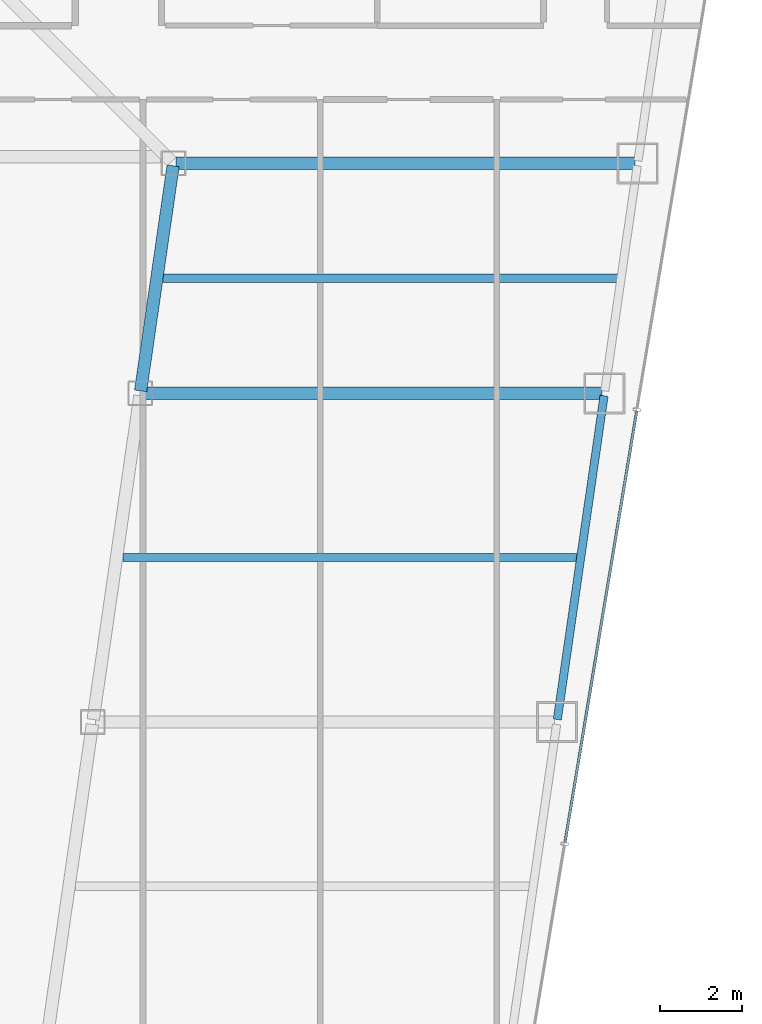
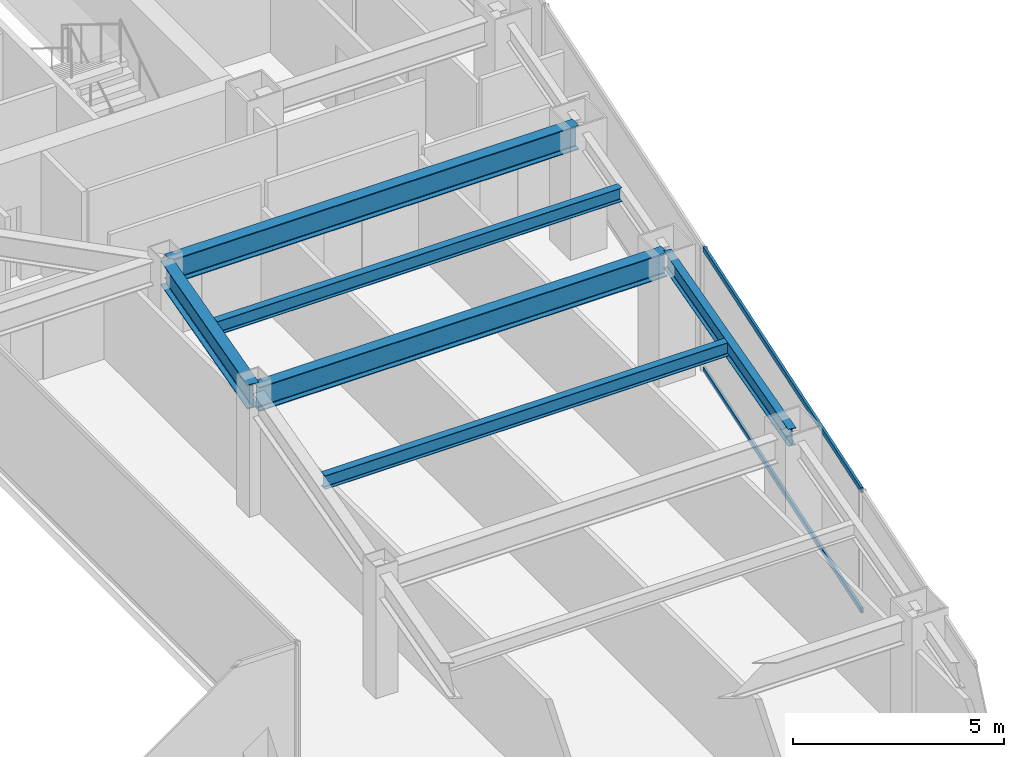
# One storey, part 17 of 37: 6 beams, 2 members, 1 element without a shape of its own.
"""IFC4 building model written with IfcOpenShell, lengths in metres."""

from ifc_helpers import new_model, si_unit, direction, frame, origin, origin_2d, place, context, subcontext, project, spatial, hollow_rectangle, i_section, extrude, material, material_profile, profile_set, type_object, element, aggregate, save


model = new_model("IFC4")

# Units and contexts
model_context = context("Model", 3, precision=1e-05, world=origin(), true_north=direction((0.0, 1.0)))
body_context = subcontext(model_context, "Body", "Model", "MODEL_VIEW")
ifc_project = project(units=[si_unit("LENGTHUNIT", "METRE"), si_unit("AREAUNIT", "SQUARE_METRE"), si_unit("VOLUMEUNIT", "CUBIC_METRE"), si_unit("PLANEANGLEUNIT", "RADIAN"), si_unit("MASSUNIT", "GRAM", prefix="KILO")], contexts=[model_context])

# Site, building, storey
site_placement = place(None, origin())
site = spatial("IfcSite", under=ifc_project, at=site_placement, CompositionType="ELEMENT")
building_placement = place(site_placement, origin())
building = spatial("IfcBuilding", under=site, at=building_placement, Name="Saevonmaru Cultural Tower", CompositionType="ELEMENT")
storey_placement = place(building_placement, frame((0.0, 0.0, 141.0)))
storey = spatial("IfcBuildingStorey", under=building, at=storey_placement, Name="L30", CompositionType="ELEMENT", Elevation=141.0)

# Beams
ifc_material_1 = material(Name="Steel SM355", Category="steel")
ifc_material_profile_1 = material_profile(ifc_material_1, i_section(OverallWidth=0.300048828125, OverallDepth=0.699951171875, WebThickness=0.012939453125, FlangeThickness=0.02392578125, FilletRadius=0.02587890625, at=origin_2d()), Name="H-700x300x13x24")
ifc_profile_set_1 = profile_set([ifc_material_profile_1], Name="Steel SM355")
beam_type_1 = type_object("IfcBeamType", Name="BM-G-H700", PredefinedType="BEAM", material=ifc_profile_set_1)
beam_1_placement = place(storey_placement, frame((40.3916015625, 32.059326171875, 3.199951171875), z_axis=(0.142964121327, 0.989727871697, 0.0), x_axis=(-0.989727871697, 0.142964121327, 0.0)))
element("IfcBeam", 1, at=beam_1_placement, inside=storey, type_object=beam_type_1, Name="L30 East Atrium Girder 4", PredefinedType="BEAM", context=body_context, shape_type="SweptSolid", body=[
    extrude(i_section(OverallWidth=0.300048828125, OverallDepth=0.699951171875, WebThickness=0.012939453125, FlangeThickness=0.02392578125, FilletRadius=0.02587890625, at=origin_2d()), origin(), (0.0, 0.0, 1.0), 5.5380859375),
])
for number, where, z_axis, x_axis, name in (
    (2, (40.443115234375, 32.0, 3.199951171875), (1.0, 0.0, 0.0), (0.0, 1.0, 0.0), "L30 East Wing Transverse Girder 4"),
    (3, (41.251953125, 37.60009765625, 3.199951171875), (1.0, 0.0, 0.0), (0.0, 1.0, 0.0), "L30 East Wing Transverse Girder 5"),
):
    element("IfcBeam", number, at=place(storey_placement, frame(where, z_axis=z_axis, x_axis=x_axis)), inside=storey, type_object=beam_type_1, Name=name, PredefinedType="BEAM", context=body_context, shape_type="SweptSolid", body=[
        extrude(i_section(OverallWidth=0.300048828125, OverallDepth=0.699951171875, WebThickness=0.012939453125, FlangeThickness=0.02392578125, FilletRadius=0.02587890625, at=origin_2d()), origin(), (0.0, 0.0, 1.0), 11.179931640625),
    ])
ifc_material_profile_2 = material_profile(ifc_material_1, i_section(OverallWidth=0.199951171875, OverallDepth=0.39990234375, WebThickness=0.008056640625, FlangeThickness=0.012939453125, FilletRadius=0.01611328125, at=origin_2d()), Name="H-400x200x8x13")
ifc_profile_set_2 = profile_set([ifc_material_profile_2], Name="Steel SM355")
beam_type_2 = type_object("IfcBeamType", Name="BM-J-H400", PredefinedType="JOIST", material=ifc_profile_set_2)
for number, where, z_axis, x_axis, name in (
    (4, (39.96337890625, 28.0, 3.35009765625), (1.0, 0.0, 0.0), (0.0, 1.0, 0.0), "L30 East Wing Floor Joist 3"),
    (5, (40.945556640625, 34.800048828125, 3.35009765625), (1.0, 0.0, 0.0), (0.0, 1.0, 0.0), "L30 East Wing Floor Joist 4"),
):
    element("IfcBeam", number, at=place(storey_placement, frame(where, z_axis=z_axis, x_axis=x_axis)), inside=storey, type_object=beam_type_2, Name=name, PredefinedType="JOIST", context=body_context, shape_type="SweptSolid", body=[
        extrude(i_section(OverallWidth=0.199951171875, OverallDepth=0.39990234375, WebThickness=0.008056640625, FlangeThickness=0.012939453125, FilletRadius=0.01611328125, at=origin_2d()), origin(), (0.0, 0.0, 1.0), 11.08203125),
    ])
ifc_material_profile_3 = material_profile(ifc_material_1, i_section(OverallWidth=0.199951171875, OverallDepth=0.5, WebThickness=0.010009765625, FlangeThickness=0.01611328125, FilletRadius=0.02001953125, at=origin_2d()), Name="H-500x200x10x16")
ifc_profile_set_3 = profile_set([ifc_material_profile_3], Name="Steel SM355")
beam_type_3 = type_object("IfcBeamType", Name="BM-SP-H500", PredefinedType="SPANDREL", material=ifc_profile_set_3)
beam_2_placement = place(storey_placement, frame((50.53662109375, 24.059326171875, 3.300048828125), z_axis=(0.142871999001, 0.989741174197, 0.0), x_axis=(-0.989741174197, 0.142871999001, 0.0)))
element("IfcBeam", 6, at=beam_2_placement, inside=storey, type_object=beam_type_3, Name="L30 East Splayed Spandrel 3", PredefinedType="SPANDREL", context=body_context, shape_type="SweptSolid", body=[
    extrude(i_section(OverallWidth=0.199951171875, OverallDepth=0.5, WebThickness=0.010009765625, FlangeThickness=0.01611328125, FilletRadius=0.02001953125, at=origin_2d()), origin(), (0.0, 0.0, 1.0), 7.963134765625),
])

# Curtain wall, members
ifc_material_2 = material(Name="Satin Bronze Anodised Aluminium", Category="aluminium")
curtain_wall_type = type_object("IfcCurtainWallType", Name="CW-TYP-A", PredefinedType="NOTDEFINED", material=ifc_material_2)
curtain_wall_placement = place(storey_placement, origin())
curtain_wall = element("IfcCurtainWall", 7, at=curtain_wall_placement, inside=storey, type_object=curtain_wall_type, Name="L30 Unitised Curtain Wall E8", PredefinedType="NOTDEFINED")
ifc_material_profile_4 = material_profile(ifc_material_2, hollow_rectangle(XDim=0.06494140625, YDim=0.14990234375, WallThickness=0.00390625, at=origin_2d()), Name="ALU-TRAN-150x65x4")
ifc_profile_set_4 = profile_set([ifc_material_profile_4], Name="Satin Bronze Anodised Aluminium")
member_type = type_object("IfcMemberType", Name="TR-CW-150x65", PredefinedType="USERDEFINED", material=ifc_profile_set_4)
member_1_placement = place(storey_placement, frame((50.7236328125, 21.061767578125, 0.032470703125), z_axis=(0.163993787386, 0.98646137162, 0.0), x_axis=(-0.98646137162, 0.163993787386, 0.0)))
member_1 = element("IfcMember", 8, at=member_1_placement, type_object=member_type, Name="CW-TW-L30-E8 transom 2.1", ObjectType="TRANSOM", PredefinedType="USERDEFINED", context=body_context, shape_type="SweptSolid", body=[
    extrude(hollow_rectangle(XDim=0.06494140625, YDim=0.14990234375, WallThickness=0.00390625, at=origin_2d()), origin(), (0.0, 0.0, 1.0), 10.650390625),
])
member_2_placement = place(storey_placement, frame((50.7236328125, 21.061767578125, 3.517578125), z_axis=(0.163993787386, 0.98646137162, 0.0), x_axis=(-0.98646137162, 0.163993787386, 0.0)))
member_2 = element("IfcMember", 9, at=member_2_placement, type_object=member_type, Name="CW-TW-L30-E8 transom 2.2", ObjectType="TRANSOM", PredefinedType="USERDEFINED", context=body_context, shape_type="SweptSolid", body=[
    extrude(hollow_rectangle(XDim=0.06494140625, YDim=0.14990234375, WallThickness=0.00390625, at=origin_2d()), origin(), (0.0, 0.0, 1.0), 10.650390625),
])
aggregate(curtain_wall, [member_1, member_2])

save(model, "model.ifc")
